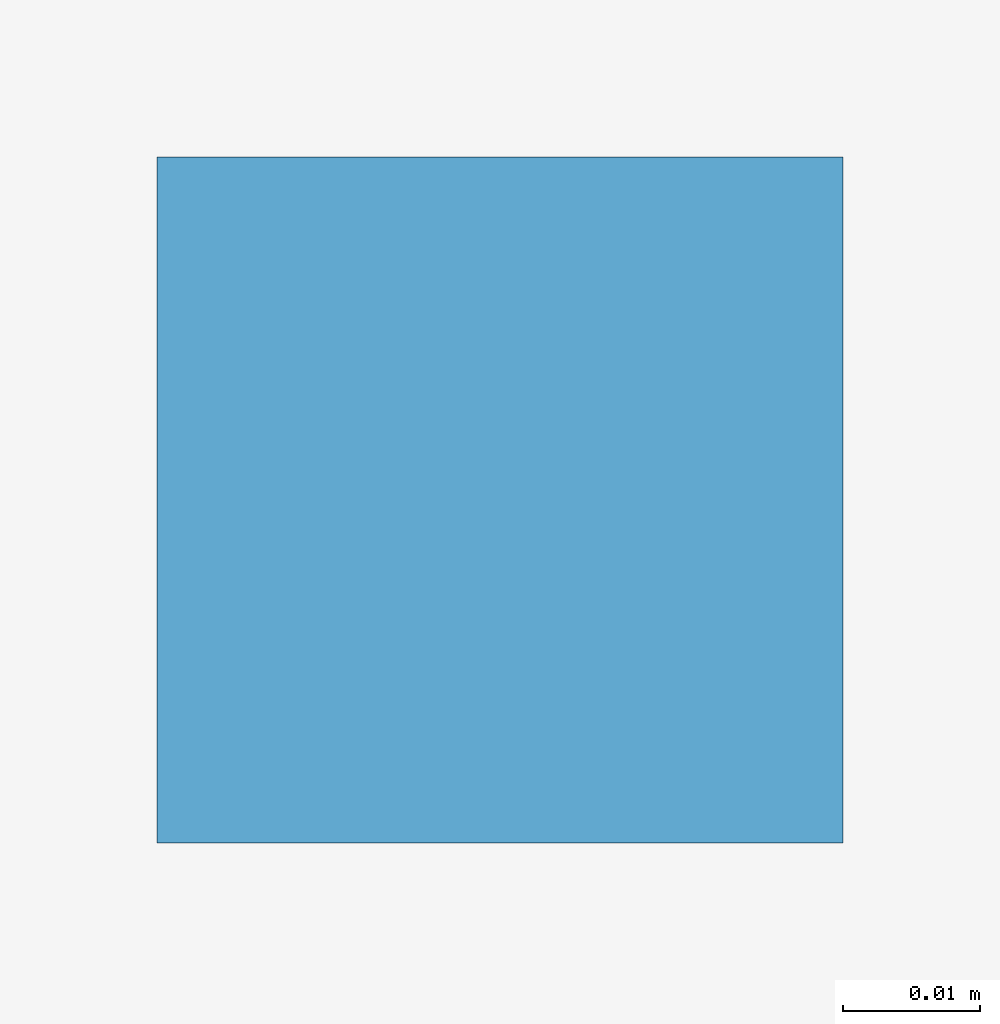
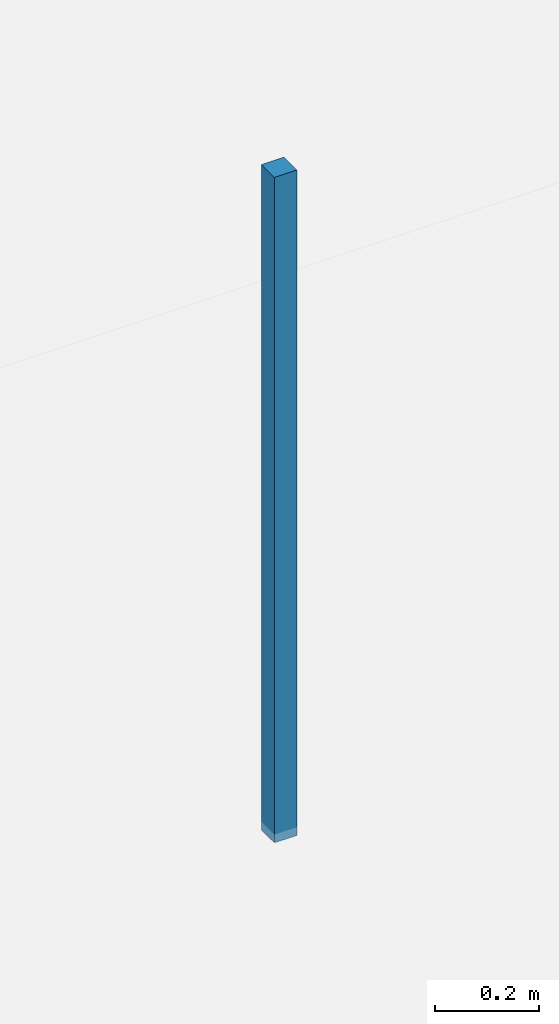
# One storey, part 39 of 48: 1 discrete accessory.
"""IFC4 building model written with IfcOpenShell, lengths in metres."""

from ifc_helpers import new_model, si_unit, direction, frame, origin, origin_2d, place, context, subcontext, project, spatial, rectangle, extrude, material, type_object, element, save


model = new_model("IFC4")

# Units and contexts
model_context = context("Model", 3, precision=1e-05, world=origin(), true_north=direction((0.0, 1.0)))
body_context = subcontext(model_context, "Body", "Model", "MODEL_VIEW")
ifc_project = project(units=[si_unit("LENGTHUNIT", "METRE"), si_unit("AREAUNIT", "SQUARE_METRE"), si_unit("VOLUMEUNIT", "CUBIC_METRE"), si_unit("PLANEANGLEUNIT", "RADIAN"), si_unit("MASSUNIT", "GRAM", prefix="KILO")], contexts=[model_context])

# Site, building, storey
site_placement = place(None, origin())
site = spatial("IfcSite", under=ifc_project, at=site_placement, CompositionType="ELEMENT")
building_placement = place(site_placement, origin())
building = spatial("IfcBuilding", under=site, at=building_placement, Name="Kazehaya Institute of Natural Sciences", CompositionType="ELEMENT")
storey_placement = place(building_placement, frame((0.0, 0.0, 19.800048828125)))
storey = spatial("IfcBuildingStorey", under=building, at=storey_placement, Name="L04", CompositionType="ELEMENT", Elevation=19.800048828125)

# Discrete accessory
ifc_material = material(Name="Structural steel SN490B", Category="steel")
discrete_accessory_type = type_object("IfcDiscreteAccessoryType", Name="ACC-CLG-HGR", PredefinedType="BRACKET", material=ifc_material)
discrete_accessory_placement = place(storey_placement, frame((72.602294921875, 104.005615234375, 2.8525390625), z_axis=(0.0, 0.0, 1.0), x_axis=(1.0, 0.0, 0.0)))
element("IfcDiscreteAccessory", 1, at=discrete_accessory_placement, inside=storey, type_object=discrete_accessory_type, Name="L04 ceiling suspension hanger 45", PredefinedType="BRACKET", context=body_context, shape_type="SweptSolid", body=[
    extrude(rectangle(XDim=0.050048828125, YDim=0.050048828125, at=origin_2d()), origin(), (0.0, 0.0, 1.0), 1.5673828125),
])

save(model, "model.ifc")
